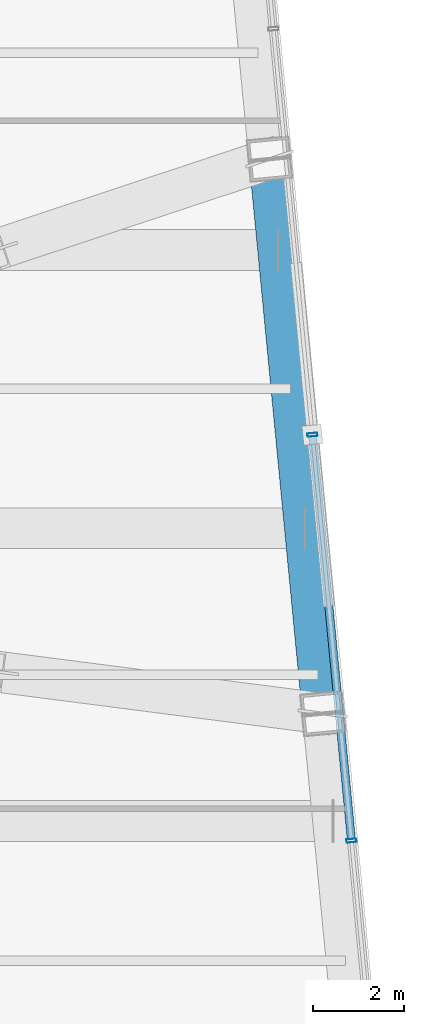
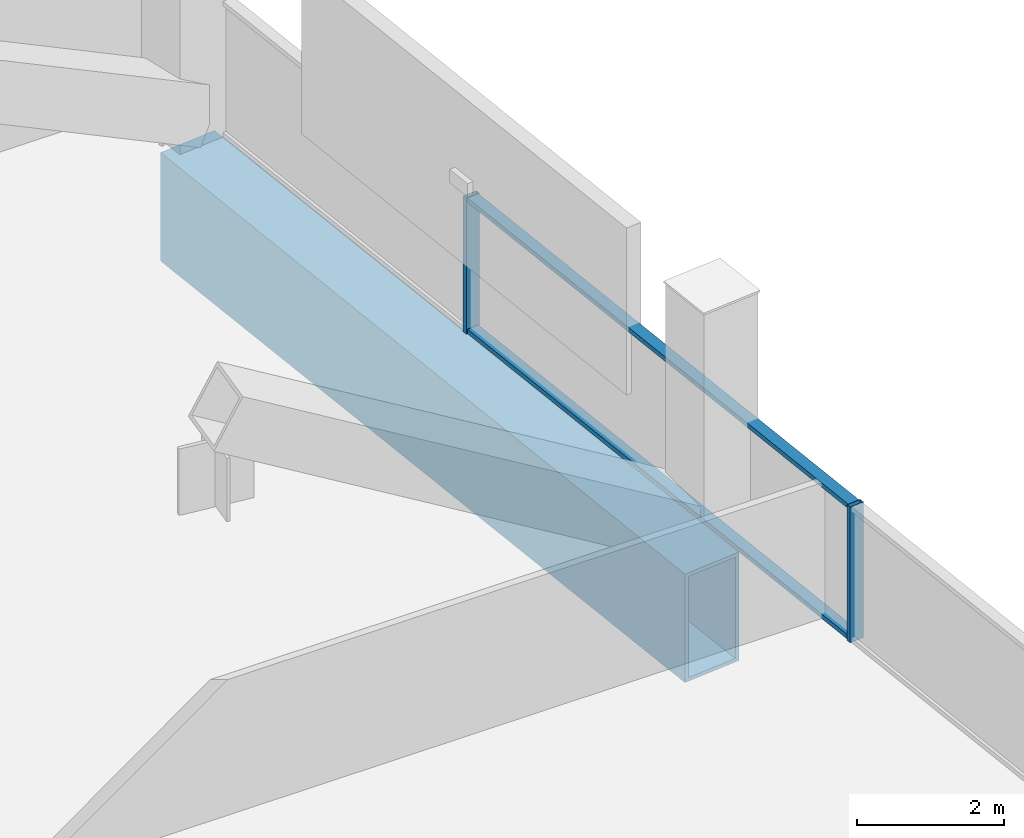
# One storey, part 13 of 30: 4 members, 1 beam, 1 element without a shape of its own.
"""IFC4 building model written with IfcOpenShell, lengths in metres."""

from ifc_helpers import new_model, si_unit, direction, frame, origin, origin_2d, place, context, subcontext, project, spatial, hollow_rectangle, extrude, material, layer, layer_set, material_profile, profile_set, type_object, element, aggregate, save


model = new_model("IFC4")

# Units and contexts
model_context = context("Model", 3, precision=1e-05, world=origin(), true_north=direction((0.0, 1.0)))
body_context = subcontext(model_context, "Body", "Model", "MODEL_VIEW")
ifc_project = project(units=[si_unit("LENGTHUNIT", "METRE"), si_unit("AREAUNIT", "SQUARE_METRE"), si_unit("VOLUMEUNIT", "CUBIC_METRE"), si_unit("PLANEANGLEUNIT", "RADIAN"), si_unit("MASSUNIT", "GRAM", prefix="KILO")], contexts=[model_context])

# Site, building, storey
site_placement = place(None, origin())
site = spatial("IfcSite", under=ifc_project, at=site_placement, CompositionType="ELEMENT")
building_placement = place(site_placement, origin())
building = spatial("IfcBuilding", under=site, at=building_placement, Name="Qhalaya Broadcast Tower", CompositionType="ELEMENT")
storey_placement = place(building_placement, frame((0.0, 0.0, 96.89990234375)))
storey = spatial("IfcBuildingStorey", under=building, at=storey_placement, Name="L28", CompositionType="ELEMENT", Elevation=96.89990234375)

# Beam
ifc_material_1 = material(Name="Structural Steel ASTM A572 Grade 50", Category="steel")
ifc_material_profile_1 = material_profile(ifc_material_1, hollow_rectangle(XDim=0.89990234375, YDim=1.800048828125, WallThickness=0.06005859375, at=origin_2d()), Name="BOX 900x1800x60")
ifc_profile_set_1 = profile_set([ifc_material_profile_1], Name="Structural Steel ASTM A572 Grade 50")
beam_type = type_object("IfcBeamType", Name="Block Cantilever Transfer Box Girder TG1", PredefinedType="USERDEFINED", material=ifc_profile_set_1)
beam_placement = place(storey_placement, frame((28.116943359375, -0.255126953125, -1.119873046875), z_axis=(-0.095851586307, 0.99539563662, 0.0), x_axis=(-0.99539563662, -0.095851586307, 0.0)))
element("IfcBeam", 1, at=beam_placement, inside=storey, type_object=beam_type, Name="L28 TG1 L28-SPR-06", ObjectType="GIRDER", PredefinedType="USERDEFINED", context=body_context, shape_type="SweptSolid", body=[
    extrude(hollow_rectangle(XDim=0.89990234375, YDim=1.800048828125, WallThickness=0.06005859375, at=origin_2d()), origin(), (0.0, 0.0, 1.0), 12.2666015625),
])

# Curtain wall, members
ifc_material_2 = material(Name="Fired Architectural Terracotta", Category="masonry")
ifc_layer = layer(ifc_material_2, 0.219970703125, Name="Fired Architectural Terracotta")
ifc_layer_set = layer_set([ifc_layer], Name="Fired Architectural Terracotta")
curtain_wall_type = type_object("IfcCurtainWallType", Name="Block-Cap Unitised Terracotta Spandrel Wall CW-07", PredefinedType="NOTDEFINED", material=ifc_layer_set)
curtain_wall_placement = place(storey_placement, origin())
curtain_wall = element("IfcCurtainWall", 2, at=curtain_wall_placement, inside=storey, type_object=curtain_wall_type, Name="L28 Unitised Curtain Wall L28-CW-E", PredefinedType="NOTDEFINED")
ifc_material_3 = material(Name="Anodised Aluminium 6063-T6", Category="aluminium")
ifc_material_profile_2 = material_profile(ifc_material_3, hollow_rectangle(XDim=0.074951171875, YDim=0.219970703125, WallThickness=0.00390625, at=origin_2d()), Name="ALU-MUL 75x220x4")
ifc_profile_set_2 = profile_set([ifc_material_profile_2], Name="Anodised Aluminium 6063-T6")
member_type_1 = type_object("IfcMemberType", Name="Unitised Curtain-Wall Mullion M01", PredefinedType="MULLION", material=ifc_profile_set_2)
member_1_placement = place(storey_placement, frame((27.887451171875, 5.884521484375, 0.0), z_axis=(0.0, 0.0, 1.0), x_axis=(0.095846812756, -0.995396096278, 0.0)))
member_1 = element("IfcMember", 3, at=member_1_placement, type_object=member_type_1, Name="CW-07 mullion 3", PredefinedType="MULLION", context=body_context, shape_type="SweptSolid", body=[
    extrude(hollow_rectangle(XDim=0.074951171875, YDim=0.219970703125, WallThickness=0.00390625, at=origin_2d()), origin(), (0.0, 0.0, 1.0), 2.25),
])
member_2_placement = place(storey_placement, frame((28.748291015625, -3.05517578125, 0.0), z_axis=(0.0, 0.0, 1.0), x_axis=(0.095846812756, -0.995396096278, 0.0)))
member_2 = element("IfcMember", 4, at=member_2_placement, type_object=member_type_1, Name="CW-07 mullion 4", PredefinedType="MULLION", context=body_context, shape_type="SweptSolid", body=[
    extrude(hollow_rectangle(XDim=0.074951171875, YDim=0.219970703125, WallThickness=0.00390625, at=origin_2d()), origin(), (0.0, 0.0, 1.0), 2.25),
])
ifc_material_profile_3 = material_profile(ifc_material_3, hollow_rectangle(XDim=0.074951171875, YDim=0.179931640625, WallThickness=0.00390625, at=origin_2d()), Name="ALU-TRN 75x180x4")
ifc_profile_set_3 = profile_set([ifc_material_profile_3], Name="Anodised Aluminium 6063-T6")
member_type_2 = type_object("IfcMemberType", Name="Unitised Curtain-Wall Transom T01", PredefinedType="USERDEFINED", material=ifc_profile_set_3)
member_3_placement = place(storey_placement, frame((27.89111328125, 5.84716796875, 0.03759765625), z_axis=(0.095836201822, -0.995397117949, 0.0), x_axis=(0.0, 0.0, 1.0)))
member_3 = element("IfcMember", 5, at=member_3_placement, type_object=member_type_2, Name="CW-07 transom 3.1", ObjectType="TRANSOM", PredefinedType="USERDEFINED", context=body_context, shape_type="SweptSolid", body=[
    extrude(hollow_rectangle(XDim=0.074951171875, YDim=0.179931640625, WallThickness=0.00390625, at=origin_2d()), origin(), (0.0, 0.0, 1.0), 8.906005859375),
])
member_4_placement = place(storey_placement, frame((27.89111328125, 5.84716796875, 2.212646484375), z_axis=(0.095836201822, -0.995397117949, 0.0), x_axis=(0.0, 0.0, 1.0)))
member_4 = element("IfcMember", 6, at=member_4_placement, type_object=member_type_2, Name="CW-07 transom 3.2", ObjectType="TRANSOM", PredefinedType="USERDEFINED", context=body_context, shape_type="SweptSolid", body=[
    extrude(hollow_rectangle(XDim=0.074951171875, YDim=0.179931640625, WallThickness=0.00390625, at=origin_2d()), origin(), (0.0, 0.0, 1.0), 8.906005859375),
])
aggregate(curtain_wall, [member_1, member_2, member_3, member_4])

save(model, "model.ifc")
